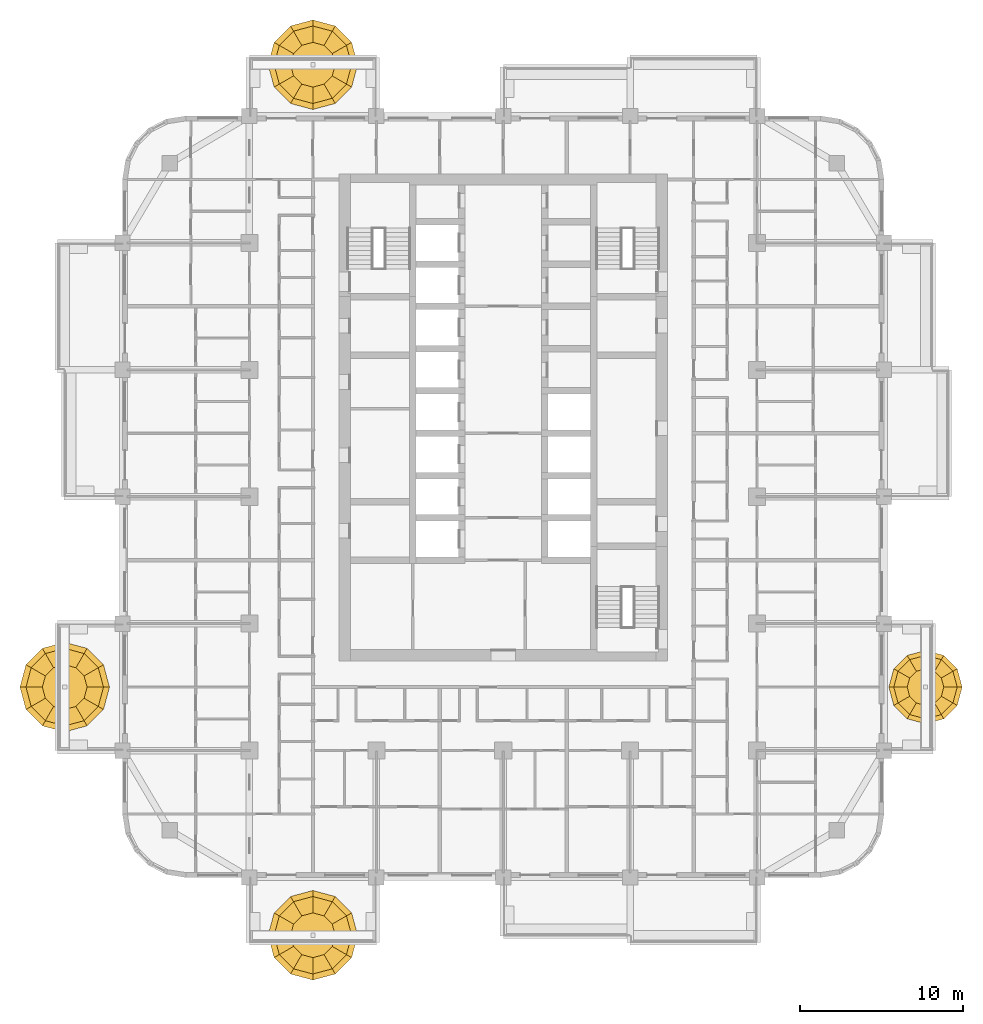
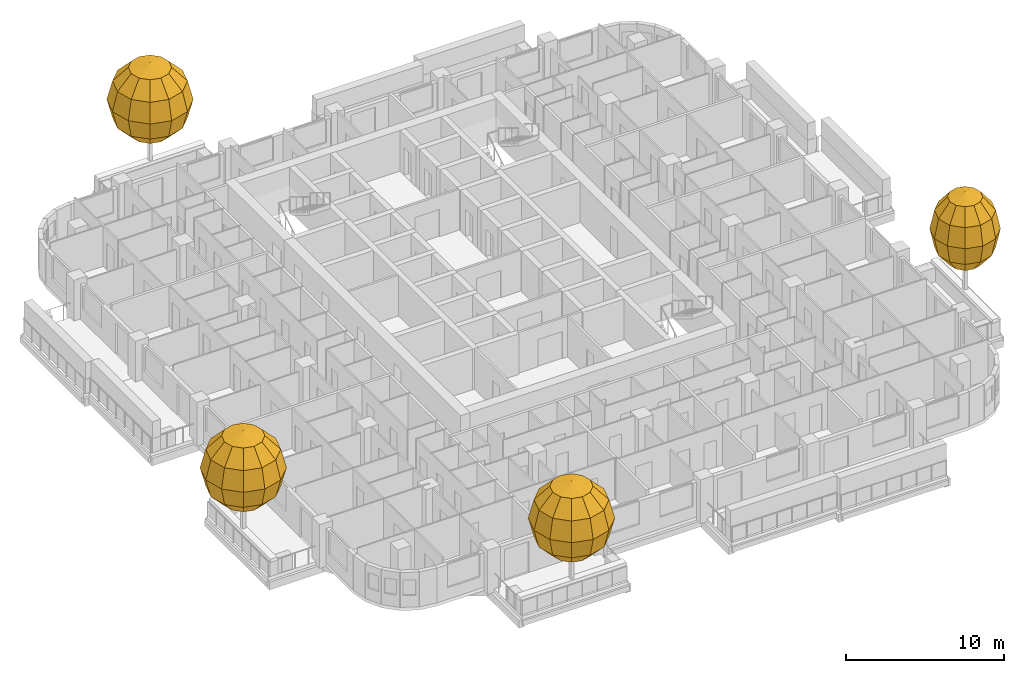
# One storey, part 19 of 19: 4 coverings.
"""IFC4 building model written with IfcOpenShell, lengths in metres."""

from ifc_helpers import new_model, si_unit, direction, frame, origin, place, context, subcontext, project, spatial, triangles, material, layer, layer_set, type_object, element, save


model = new_model("IFC4")

# Units and contexts
model_context = context("Model", 3, precision=1e-05, world=origin(), true_north=direction((0.0, 1.0)))
body_context = subcontext(model_context, "Body", "Model", "MODEL_VIEW")
ifc_project = project(units=[si_unit("LENGTHUNIT", "METRE"), si_unit("AREAUNIT", "SQUARE_METRE"), si_unit("VOLUMEUNIT", "CUBIC_METRE"), si_unit("PLANEANGLEUNIT", "RADIAN"), si_unit("MASSUNIT", "GRAM", prefix="KILO")], contexts=[model_context])

# Site, building, storey
site_placement = place(None, origin())
site = spatial("IfcSite", under=ifc_project, at=site_placement, CompositionType="ELEMENT")
building_placement = place(site_placement, origin())
building = spatial("IfcBuilding", under=site, at=building_placement, Name="Ludao Terraces", CompositionType="ELEMENT")
storey_placement = place(building_placement, frame((0.0, 0.0, 81.800048828125)))
storey = spatial("IfcBuildingStorey", under=building, at=storey_placement, Name="L22", CompositionType="ELEMENT", Elevation=81.800048828125)

# Coverings
ifc_material = material(Name="Planting")
ifc_layer_1 = layer(ifc_material, 4.5)
ifc_layer_set_1 = layer_set([ifc_layer_1], Name="ENV Tree crown 4500x5700")
covering_type_1 = type_object("IfcCoveringType", Name="ENV Tree crown 4500x5700", PredefinedType="USERDEFINED", material=ifc_layer_set_1)
covering_1_placement = place(storey_placement, frame((110.949951171875, 53.300048828125, 6.0)))
element("IfcCovering", 1, at=covering_1_placement, inside=storey, type_object=covering_type_1, Name="Tree crown L22 E1", ObjectType="PLANTING", PredefinedType="USERDEFINED", context=body_context, shape_type="Tessellation", body=[
    triangles([(0.0, 0.0, 2.85009765625), (1.125, 0.0, 2.46826171875), (0.974365234375, 0.5625, 2.46826171875), (0.5625, 0.974365234375, 2.46826171875), (0.0, 1.125, 2.46826171875), (-0.5625, 0.974365234375, 2.46826171875), (-0.974365234375, 0.5625, 2.46826171875), (-1.125, 0.0, 2.46826171875), (-0.974365234375, -0.5625, 2.46826171875), (-0.5625, -0.974365234375, 2.46826171875), (0.0, -1.125, 2.46826171875), (0.5625, -0.974365234375, 2.46826171875), (0.974365234375, -0.5625, 2.46826171875), (1.948486328125, 0.0, 1.425048828125), (1.6875, 0.974365234375, 1.425048828125), (0.974365234375, 1.6875, 1.425048828125), (0.0, 1.948486328125, 1.425048828125), (-0.974365234375, 1.6875, 1.425048828125), (-1.6875, 0.974365234375, 1.425048828125), (-1.948486328125, 0.0, 1.425048828125), (-1.6875, -0.974365234375, 1.425048828125), (-0.974365234375, -1.6875, 1.425048828125), (0.0, -1.948486328125, 1.425048828125), (0.974365234375, -1.6875, 1.425048828125), (1.6875, -0.974365234375, 1.425048828125), (2.25, 0.0, 0.0), (1.948486328125, 1.125, 0.0), (1.125, 1.948486328125, 0.0), (0.0, 2.25, 0.0), (-1.125, 1.948486328125, 0.0), (-1.948486328125, 1.125, 0.0), (-2.25, 0.0, 0.0), (-1.948486328125, -1.125, 0.0), (-1.125, -1.948486328125, 0.0), (0.0, -2.25, 0.0), (1.125, -1.948486328125, 0.0), (1.948486328125, -1.125, 0.0), (1.948486328125, 0.0, -1.425048828125), (1.6875, 0.974365234375, -1.425048828125), (0.974365234375, 1.6875, -1.425048828125), (0.0, 1.948486328125, -1.425048828125), (-0.974365234375, 1.6875, -1.425048828125), (-1.6875, 0.974365234375, -1.425048828125), (-1.948486328125, 0.0, -1.425048828125), (-1.6875, -0.974365234375, -1.425048828125), (-0.974365234375, -1.6875, -1.425048828125), (0.0, -1.948486328125, -1.425048828125), (0.974365234375, -1.6875, -1.425048828125), (1.6875, -0.974365234375, -1.425048828125), (1.125, 0.0, -2.46826171875), (0.974365234375, 0.5625, -2.46826171875), (0.5625, 0.974365234375, -2.46826171875), (0.0, 1.125, -2.46826171875), (-0.5625, 0.974365234375, -2.46826171875), (-0.974365234375, 0.5625, -2.46826171875), (-1.125, 0.0, -2.46826171875), (-0.974365234375, -0.5625, -2.46826171875), (-0.5625, -0.974365234375, -2.46826171875), (0.0, -1.125, -2.46826171875), (0.5625, -0.974365234375, -2.46826171875), (0.974365234375, -0.5625, -2.46826171875), (0.0, 0.0, -2.85009765625)], [[1, 2, 3], [1, 3, 4], [1, 4, 5], [1, 5, 6], [1, 6, 7], [1, 7, 8], [1, 8, 9], [1, 9, 10], [1, 10, 11], [1, 11, 12], [1, 12, 13], [1, 13, 2], [2, 14, 15], [2, 15, 3], [3, 15, 16], [3, 16, 4], [4, 16, 17], [4, 17, 5], [5, 17, 18], [5, 18, 6], [6, 18, 19], [6, 19, 7], [7, 19, 20], [7, 20, 8], [8, 20, 21], [8, 21, 9], [9, 21, 22], [9, 22, 10], [10, 22, 23], [10, 23, 11], [11, 23, 24], [11, 24, 12], [12, 24, 25], [12, 25, 13], [13, 25, 14], [13, 14, 2], [14, 26, 27], [14, 27, 15], [15, 27, 28], [15, 28, 16], [16, 28, 29], [16, 29, 17], [17, 29, 30], [17, 30, 18], [18, 30, 31], [18, 31, 19], [19, 31, 32], [19, 32, 20], [20, 32, 33], [20, 33, 21], [21, 33, 34], [21, 34, 22], [22, 34, 35], [22, 35, 23], [23, 35, 36], [23, 36, 24], [24, 36, 37], [24, 37, 25], [25, 37, 26], [25, 26, 14], [26, 38, 39], [26, 39, 27], [27, 39, 40], [27, 40, 28], [28, 40, 41], [28, 41, 29], [29, 41, 42], [29, 42, 30], [30, 42, 43], [30, 43, 31], [31, 43, 44], [31, 44, 32], [32, 44, 45], [32, 45, 33], [33, 45, 46], [33, 46, 34], [34, 46, 47], [34, 47, 35], [35, 47, 48], [35, 48, 36], [36, 48, 49], [36, 49, 37], [37, 49, 38], [37, 38, 26], [38, 50, 51], [38, 51, 39], [39, 51, 52], [39, 52, 40], [40, 52, 53], [40, 53, 41], [41, 53, 54], [41, 54, 42], [42, 54, 55], [42, 55, 43], [43, 55, 56], [43, 56, 44], [44, 56, 57], [44, 57, 45], [45, 57, 58], [45, 58, 46], [46, 58, 59], [46, 59, 47], [47, 59, 60], [47, 60, 48], [48, 60, 61], [48, 61, 49], [49, 61, 50], [49, 50, 38], [62, 51, 50], [62, 52, 51], [62, 53, 52], [62, 54, 53], [62, 55, 54], [62, 56, 55], [62, 57, 56], [62, 58, 57], [62, 59, 58], [62, 60, 59], [62, 61, 60], [62, 50, 61]], closed=True),
])
ifc_layer_2 = layer(ifc_material, 5.5)
ifc_layer_set_2 = layer_set([ifc_layer_2], Name="ENV Tree crown 5500x5700")
covering_type_2 = type_object("IfcCoveringType", Name="ENV Tree crown 5500x5700", PredefinedType="USERDEFINED", material=ifc_layer_set_2)
covering_2_placement = place(storey_placement, frame((73.300048828125, 38.050048828125, 6.0)))
element("IfcCovering", 2, at=covering_2_placement, inside=storey, type_object=covering_type_2, Name="Tree crown L22 S1", ObjectType="PLANTING", PredefinedType="USERDEFINED", context=body_context, shape_type="Tessellation", body=[
    triangles([(0.0, 0.0, 2.85009765625), (1.375, 0.0, 2.46826171875), (1.190673828125, 0.6875, 2.46826171875), (0.6875, 1.190673828125, 2.46826171875), (0.0, 1.375, 2.46826171875), (-0.6875, 1.190673828125, 2.46826171875), (-1.190673828125, 0.6875, 2.46826171875), (-1.375, 0.0, 2.46826171875), (-1.190673828125, -0.6875, 2.46826171875), (-0.6875, -1.190673828125, 2.46826171875), (0.0, -1.375, 2.46826171875), (0.6875, -1.190673828125, 2.46826171875), (1.190673828125, -0.6875, 2.46826171875), (2.381591796875, 0.0, 1.425048828125), (2.0625, 1.190673828125, 1.425048828125), (1.190673828125, 2.0625, 1.425048828125), (0.0, 2.381591796875, 1.425048828125), (-1.190673828125, 2.0625, 1.425048828125), (-2.0625, 1.190673828125, 1.425048828125), (-2.381591796875, 0.0, 1.425048828125), (-2.0625, -1.190673828125, 1.425048828125), (-1.190673828125, -2.0625, 1.425048828125), (0.0, -2.381591796875, 1.425048828125), (1.190673828125, -2.0625, 1.425048828125), (2.0625, -1.190673828125, 1.425048828125), (2.75, 0.0, 0.0), (2.381591796875, 1.375, 0.0), (1.375, 2.381591796875, 0.0), (0.0, 2.75, 0.0), (-1.375, 2.381591796875, 0.0), (-2.381591796875, 1.375, 0.0), (-2.75, 0.0, 0.0), (-2.381591796875, -1.375, 0.0), (-1.375, -2.381591796875, 0.0), (0.0, -2.75, 0.0), (1.375, -2.381591796875, 0.0), (2.381591796875, -1.375, 0.0), (2.381591796875, 0.0, -1.425048828125), (2.0625, 1.190673828125, -1.425048828125), (1.190673828125, 2.0625, -1.425048828125), (0.0, 2.381591796875, -1.425048828125), (-1.190673828125, 2.0625, -1.425048828125), (-2.0625, 1.190673828125, -1.425048828125), (-2.381591796875, 0.0, -1.425048828125), (-2.0625, -1.190673828125, -1.425048828125), (-1.190673828125, -2.0625, -1.425048828125), (0.0, -2.381591796875, -1.425048828125), (1.190673828125, -2.0625, -1.425048828125), (2.0625, -1.190673828125, -1.425048828125), (1.375, 0.0, -2.46826171875), (1.190673828125, 0.6875, -2.46826171875), (0.6875, 1.190673828125, -2.46826171875), (0.0, 1.375, -2.46826171875), (-0.6875, 1.190673828125, -2.46826171875), (-1.190673828125, 0.6875, -2.46826171875), (-1.375, 0.0, -2.46826171875), (-1.190673828125, -0.6875, -2.46826171875), (-0.6875, -1.190673828125, -2.46826171875), (0.0, -1.375, -2.46826171875), (0.6875, -1.190673828125, -2.46826171875), (1.190673828125, -0.6875, -2.46826171875), (0.0, 0.0, -2.85009765625)], [[1, 2, 3], [1, 3, 4], [1, 4, 5], [1, 5, 6], [1, 6, 7], [1, 7, 8], [1, 8, 9], [1, 9, 10], [1, 10, 11], [1, 11, 12], [1, 12, 13], [1, 13, 2], [2, 14, 15], [2, 15, 3], [3, 15, 16], [3, 16, 4], [4, 16, 17], [4, 17, 5], [5, 17, 18], [5, 18, 6], [6, 18, 19], [6, 19, 7], [7, 19, 20], [7, 20, 8], [8, 20, 21], [8, 21, 9], [9, 21, 22], [9, 22, 10], [10, 22, 23], [10, 23, 11], [11, 23, 24], [11, 24, 12], [12, 24, 25], [12, 25, 13], [13, 25, 14], [13, 14, 2], [14, 26, 27], [14, 27, 15], [15, 27, 28], [15, 28, 16], [16, 28, 29], [16, 29, 17], [17, 29, 30], [17, 30, 18], [18, 30, 31], [18, 31, 19], [19, 31, 32], [19, 32, 20], [20, 32, 33], [20, 33, 21], [21, 33, 34], [21, 34, 22], [22, 34, 35], [22, 35, 23], [23, 35, 36], [23, 36, 24], [24, 36, 37], [24, 37, 25], [25, 37, 26], [25, 26, 14], [26, 38, 39], [26, 39, 27], [27, 39, 40], [27, 40, 28], [28, 40, 41], [28, 41, 29], [29, 41, 42], [29, 42, 30], [30, 42, 43], [30, 43, 31], [31, 43, 44], [31, 44, 32], [32, 44, 45], [32, 45, 33], [33, 45, 46], [33, 46, 34], [34, 46, 47], [34, 47, 35], [35, 47, 48], [35, 48, 36], [36, 48, 49], [36, 49, 37], [37, 49, 38], [37, 38, 26], [38, 50, 51], [38, 51, 39], [39, 51, 52], [39, 52, 40], [40, 52, 53], [40, 53, 41], [41, 53, 54], [41, 54, 42], [42, 54, 55], [42, 55, 43], [43, 55, 56], [43, 56, 44], [44, 56, 57], [44, 57, 45], [45, 57, 58], [45, 58, 46], [46, 58, 59], [46, 59, 47], [47, 59, 60], [47, 60, 48], [48, 60, 61], [48, 61, 49], [49, 61, 50], [49, 50, 38], [62, 51, 50], [62, 52, 51], [62, 53, 52], [62, 54, 53], [62, 55, 54], [62, 56, 55], [62, 57, 56], [62, 58, 57], [62, 59, 58], [62, 60, 59], [62, 61, 60], [62, 50, 61]], closed=True),
])
covering_3_placement = place(storey_placement, frame((73.300048828125, 91.550048828125, 6.0)))
element("IfcCovering", 3, at=covering_3_placement, inside=storey, type_object=covering_type_2, Name="Tree crown L22 N1", ObjectType="PLANTING", PredefinedType="USERDEFINED", context=body_context, shape_type="Tessellation", body=[
    triangles([(0.0, 0.0, 2.85009765625), (1.375, 0.0, 2.46826171875), (1.190673828125, 0.6875, 2.46826171875), (0.6875, 1.190673828125, 2.46826171875), (0.0, 1.375, 2.46826171875), (-0.6875, 1.190673828125, 2.46826171875), (-1.190673828125, 0.6875, 2.46826171875), (-1.375, 0.0, 2.46826171875), (-1.190673828125, -0.6875, 2.46826171875), (-0.6875, -1.190673828125, 2.46826171875), (0.0, -1.375, 2.46826171875), (0.6875, -1.190673828125, 2.46826171875), (1.190673828125, -0.6875, 2.46826171875), (2.381591796875, 0.0, 1.425048828125), (2.0625, 1.190673828125, 1.425048828125), (1.190673828125, 2.0625, 1.425048828125), (0.0, 2.381591796875, 1.425048828125), (-1.190673828125, 2.0625, 1.425048828125), (-2.0625, 1.190673828125, 1.425048828125), (-2.381591796875, 0.0, 1.425048828125), (-2.0625, -1.190673828125, 1.425048828125), (-1.190673828125, -2.0625, 1.425048828125), (0.0, -2.381591796875, 1.425048828125), (1.190673828125, -2.0625, 1.425048828125), (2.0625, -1.190673828125, 1.425048828125), (2.75, 0.0, 0.0), (2.381591796875, 1.375, 0.0), (1.375, 2.381591796875, 0.0), (0.0, 2.75, 0.0), (-1.375, 2.381591796875, 0.0), (-2.381591796875, 1.375, 0.0), (-2.75, 0.0, 0.0), (-2.381591796875, -1.375, 0.0), (-1.375, -2.381591796875, 0.0), (0.0, -2.75, 0.0), (1.375, -2.381591796875, 0.0), (2.381591796875, -1.375, 0.0), (2.381591796875, 0.0, -1.425048828125), (2.0625, 1.190673828125, -1.425048828125), (1.190673828125, 2.0625, -1.425048828125), (0.0, 2.381591796875, -1.425048828125), (-1.190673828125, 2.0625, -1.425048828125), (-2.0625, 1.190673828125, -1.425048828125), (-2.381591796875, 0.0, -1.425048828125), (-2.0625, -1.190673828125, -1.425048828125), (-1.190673828125, -2.0625, -1.425048828125), (0.0, -2.381591796875, -1.425048828125), (1.190673828125, -2.0625, -1.425048828125), (2.0625, -1.190673828125, -1.425048828125), (1.375, 0.0, -2.46826171875), (1.190673828125, 0.6875, -2.46826171875), (0.6875, 1.190673828125, -2.46826171875), (0.0, 1.375, -2.46826171875), (-0.6875, 1.190673828125, -2.46826171875), (-1.190673828125, 0.6875, -2.46826171875), (-1.375, 0.0, -2.46826171875), (-1.190673828125, -0.6875, -2.46826171875), (-0.6875, -1.190673828125, -2.46826171875), (0.0, -1.375, -2.46826171875), (0.6875, -1.190673828125, -2.46826171875), (1.190673828125, -0.6875, -2.46826171875), (0.0, 0.0, -2.85009765625)], [[1, 2, 3], [1, 3, 4], [1, 4, 5], [1, 5, 6], [1, 6, 7], [1, 7, 8], [1, 8, 9], [1, 9, 10], [1, 10, 11], [1, 11, 12], [1, 12, 13], [1, 13, 2], [2, 14, 15], [2, 15, 3], [3, 15, 16], [3, 16, 4], [4, 16, 17], [4, 17, 5], [5, 17, 18], [5, 18, 6], [6, 18, 19], [6, 19, 7], [7, 19, 20], [7, 20, 8], [8, 20, 21], [8, 21, 9], [9, 21, 22], [9, 22, 10], [10, 22, 23], [10, 23, 11], [11, 23, 24], [11, 24, 12], [12, 24, 25], [12, 25, 13], [13, 25, 14], [13, 14, 2], [14, 26, 27], [14, 27, 15], [15, 27, 28], [15, 28, 16], [16, 28, 29], [16, 29, 17], [17, 29, 30], [17, 30, 18], [18, 30, 31], [18, 31, 19], [19, 31, 32], [19, 32, 20], [20, 32, 33], [20, 33, 21], [21, 33, 34], [21, 34, 22], [22, 34, 35], [22, 35, 23], [23, 35, 36], [23, 36, 24], [24, 36, 37], [24, 37, 25], [25, 37, 26], [25, 26, 14], [26, 38, 39], [26, 39, 27], [27, 39, 40], [27, 40, 28], [28, 40, 41], [28, 41, 29], [29, 41, 42], [29, 42, 30], [30, 42, 43], [30, 43, 31], [31, 43, 44], [31, 44, 32], [32, 44, 45], [32, 45, 33], [33, 45, 46], [33, 46, 34], [34, 46, 47], [34, 47, 35], [35, 47, 48], [35, 48, 36], [36, 48, 49], [36, 49, 37], [37, 49, 38], [37, 38, 26], [38, 50, 51], [38, 51, 39], [39, 51, 52], [39, 52, 40], [40, 52, 53], [40, 53, 41], [41, 53, 54], [41, 54, 42], [42, 54, 55], [42, 55, 43], [43, 55, 56], [43, 56, 44], [44, 56, 57], [44, 57, 45], [45, 57, 58], [45, 58, 46], [46, 58, 59], [46, 59, 47], [47, 59, 60], [47, 60, 48], [48, 60, 61], [48, 61, 49], [49, 61, 50], [49, 50, 38], [62, 51, 50], [62, 52, 51], [62, 53, 52], [62, 54, 53], [62, 55, 54], [62, 56, 55], [62, 57, 56], [62, 58, 57], [62, 59, 58], [62, 60, 59], [62, 61, 60], [62, 50, 61]], closed=True),
])
covering_4_placement = place(storey_placement, frame((58.050048828125, 53.300048828125, 6.0)))
element("IfcCovering", 4, at=covering_4_placement, inside=storey, type_object=covering_type_2, Name="Tree crown L22 W1", ObjectType="PLANTING", PredefinedType="USERDEFINED", context=body_context, shape_type="Tessellation", body=[
    triangles([(0.0, 0.0, 2.85009765625), (1.375, 0.0, 2.46826171875), (1.190673828125, 0.6875, 2.46826171875), (0.6875, 1.190673828125, 2.46826171875), (0.0, 1.375, 2.46826171875), (-0.6875, 1.190673828125, 2.46826171875), (-1.190673828125, 0.6875, 2.46826171875), (-1.375, 0.0, 2.46826171875), (-1.190673828125, -0.6875, 2.46826171875), (-0.6875, -1.190673828125, 2.46826171875), (0.0, -1.375, 2.46826171875), (0.6875, -1.190673828125, 2.46826171875), (1.190673828125, -0.6875, 2.46826171875), (2.381591796875, 0.0, 1.425048828125), (2.0625, 1.190673828125, 1.425048828125), (1.190673828125, 2.0625, 1.425048828125), (0.0, 2.381591796875, 1.425048828125), (-1.190673828125, 2.0625, 1.425048828125), (-2.0625, 1.190673828125, 1.425048828125), (-2.381591796875, 0.0, 1.425048828125), (-2.0625, -1.190673828125, 1.425048828125), (-1.190673828125, -2.0625, 1.425048828125), (0.0, -2.381591796875, 1.425048828125), (1.190673828125, -2.0625, 1.425048828125), (2.0625, -1.190673828125, 1.425048828125), (2.75, 0.0, 0.0), (2.381591796875, 1.375, 0.0), (1.375, 2.381591796875, 0.0), (0.0, 2.75, 0.0), (-1.375, 2.381591796875, 0.0), (-2.381591796875, 1.375, 0.0), (-2.75, 0.0, 0.0), (-2.381591796875, -1.375, 0.0), (-1.375, -2.381591796875, 0.0), (0.0, -2.75, 0.0), (1.375, -2.381591796875, 0.0), (2.381591796875, -1.375, 0.0), (2.381591796875, 0.0, -1.425048828125), (2.0625, 1.190673828125, -1.425048828125), (1.190673828125, 2.0625, -1.425048828125), (0.0, 2.381591796875, -1.425048828125), (-1.190673828125, 2.0625, -1.425048828125), (-2.0625, 1.190673828125, -1.425048828125), (-2.381591796875, 0.0, -1.425048828125), (-2.0625, -1.190673828125, -1.425048828125), (-1.190673828125, -2.0625, -1.425048828125), (0.0, -2.381591796875, -1.425048828125), (1.190673828125, -2.0625, -1.425048828125), (2.0625, -1.190673828125, -1.425048828125), (1.375, 0.0, -2.46826171875), (1.190673828125, 0.6875, -2.46826171875), (0.6875, 1.190673828125, -2.46826171875), (0.0, 1.375, -2.46826171875), (-0.6875, 1.190673828125, -2.46826171875), (-1.190673828125, 0.6875, -2.46826171875), (-1.375, 0.0, -2.46826171875), (-1.190673828125, -0.6875, -2.46826171875), (-0.6875, -1.190673828125, -2.46826171875), (0.0, -1.375, -2.46826171875), (0.6875, -1.190673828125, -2.46826171875), (1.190673828125, -0.6875, -2.46826171875), (0.0, 0.0, -2.85009765625)], [[1, 2, 3], [1, 3, 4], [1, 4, 5], [1, 5, 6], [1, 6, 7], [1, 7, 8], [1, 8, 9], [1, 9, 10], [1, 10, 11], [1, 11, 12], [1, 12, 13], [1, 13, 2], [2, 14, 15], [2, 15, 3], [3, 15, 16], [3, 16, 4], [4, 16, 17], [4, 17, 5], [5, 17, 18], [5, 18, 6], [6, 18, 19], [6, 19, 7], [7, 19, 20], [7, 20, 8], [8, 20, 21], [8, 21, 9], [9, 21, 22], [9, 22, 10], [10, 22, 23], [10, 23, 11], [11, 23, 24], [11, 24, 12], [12, 24, 25], [12, 25, 13], [13, 25, 14], [13, 14, 2], [14, 26, 27], [14, 27, 15], [15, 27, 28], [15, 28, 16], [16, 28, 29], [16, 29, 17], [17, 29, 30], [17, 30, 18], [18, 30, 31], [18, 31, 19], [19, 31, 32], [19, 32, 20], [20, 32, 33], [20, 33, 21], [21, 33, 34], [21, 34, 22], [22, 34, 35], [22, 35, 23], [23, 35, 36], [23, 36, 24], [24, 36, 37], [24, 37, 25], [25, 37, 26], [25, 26, 14], [26, 38, 39], [26, 39, 27], [27, 39, 40], [27, 40, 28], [28, 40, 41], [28, 41, 29], [29, 41, 42], [29, 42, 30], [30, 42, 43], [30, 43, 31], [31, 43, 44], [31, 44, 32], [32, 44, 45], [32, 45, 33], [33, 45, 46], [33, 46, 34], [34, 46, 47], [34, 47, 35], [35, 47, 48], [35, 48, 36], [36, 48, 49], [36, 49, 37], [37, 49, 38], [37, 38, 26], [38, 50, 51], [38, 51, 39], [39, 51, 52], [39, 52, 40], [40, 52, 53], [40, 53, 41], [41, 53, 54], [41, 54, 42], [42, 54, 55], [42, 55, 43], [43, 55, 56], [43, 56, 44], [44, 56, 57], [44, 57, 45], [45, 57, 58], [45, 58, 46], [46, 58, 59], [46, 59, 47], [47, 59, 60], [47, 60, 48], [48, 60, 61], [48, 61, 49], [49, 61, 50], [49, 50, 38], [62, 51, 50], [62, 52, 51], [62, 53, 52], [62, 54, 53], [62, 55, 54], [62, 56, 55], [62, 57, 56], [62, 58, 57], [62, 59, 58], [62, 60, 59], [62, 61, 60], [62, 50, 61]], closed=True),
])

save(model, "model.ifc")
